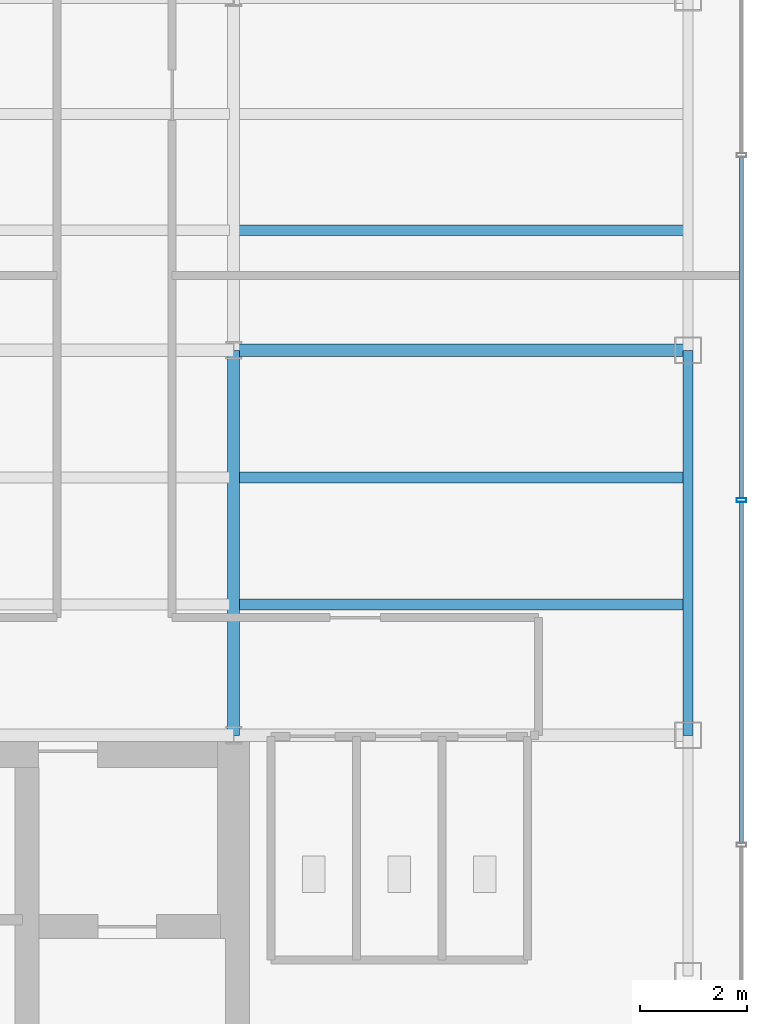
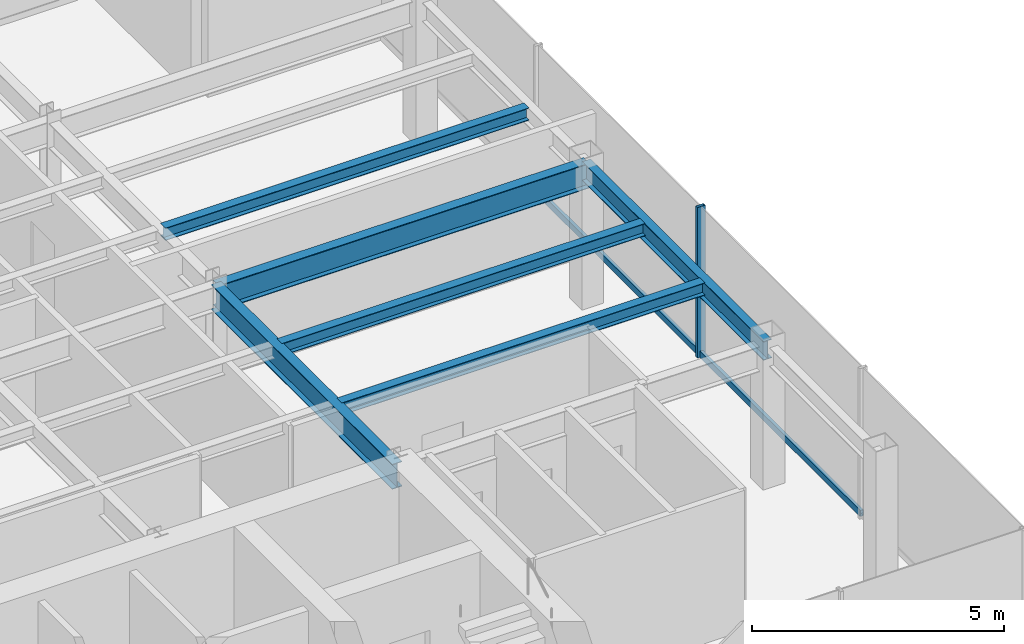
# One storey, part 10 of 22: 6 beams, 3 members, 1 element without a shape of its own.
"""IFC4 building model written with IfcOpenShell, lengths in metres."""

from ifc_helpers import new_model, si_unit, derived_unit, direction, frame, origin, origin_2d, place, context, subcontext, project, spatial, hollow_rectangle, i_section, extrude, source, transform, mapped, material, material_profile, profile_set, type_object, element, aggregate, save


model = new_model("IFC4")

# Units and contexts
model_context = context("Model", 3, precision=1e-05, world=origin(), true_north=direction((0.0, 1.0)))
body_context = subcontext(model_context, "Body", "Model", "MODEL_VIEW")
ifc_project = project(units=[si_unit("LENGTHUNIT", "METRE"), si_unit("AREAUNIT", "SQUARE_METRE"), si_unit("VOLUMEUNIT", "CUBIC_METRE"), si_unit("PLANEANGLEUNIT", "RADIAN"), si_unit("MASSUNIT", "GRAM", prefix="KILO"), derived_unit("THERMALTRANSMITTANCEUNIT", [(si_unit("POWERUNIT", "WATT"), 1), (si_unit("LENGTHUNIT", "METRE"), -2), (si_unit("THERMODYNAMICTEMPERATUREUNIT", "KELVIN"), -1)])], contexts=[model_context])

# Site, building, storey
site_placement = place(None, origin())
site = spatial("IfcSite", under=ifc_project, at=site_placement, CompositionType="ELEMENT")
building_placement = place(site_placement, origin())
building = spatial("IfcBuilding", under=site, at=building_placement, Name="Skarnbrae Concourse Arena and Tower", CompositionType="ELEMENT")
storey_placement = place(building_placement, frame((0.0, 0.0, 269.75)))
storey = spatial("IfcBuildingStorey", under=building, at=storey_placement, Name="L70", CompositionType="ELEMENT", Elevation=269.75)

# Beams
ifc_material_1 = material(Name="Steel CSA G40.21 350W", Category="steel")
ifc_material_profile_1 = material_profile(ifc_material_1, i_section(OverallWidth=0.22802734375, OverallDepth=0.60791015625, WebThickness=0.01123046875, FlangeThickness=0.017333984375, at=origin_2d()), Name="W610X113")
ifc_profile_set_1 = profile_set([ifc_material_profile_1], Name="Steel CSA G40.21 350W")
beam_type_1 = type_object("IfcBeamType", Name="BM-GIRD-W610X113", PredefinedType="BEAM", material=ifc_profile_set_1)
shared_shape_1 = source(origin(), body_context, "Body", "SweptSolid", [
    extrude(i_section(OverallWidth=0.22802734375, OverallDepth=0.60791015625, WebThickness=0.01123046875, FlangeThickness=0.017333984375, at=origin_2d()), origin(), (0.0, 0.0, 1.0), 8.5),
])
beam_1_placement = place(storey_placement, frame((33.5, 21.199951171875, 3.095947265625), z_axis=(1.0, 0.0, 0.0), x_axis=(0.0, 1.0, 0.0)))
element("IfcBeam", 1, at=beam_1_placement, inside=storey, type_object=beam_type_1, Name="L70 Primary E-W girder Y21.2-6", PredefinedType="BEAM", context=body_context, shape_type="MappedRepresentation", body=[
    mapped(shared_shape_1, transform((0.0, 0.0, 0.0))),
])
ifc_material_profile_2 = material_profile(ifc_material_1, i_section(OverallWidth=0.19091796875, OverallDepth=0.4599609375, WebThickness=0.010009765625, FlangeThickness=0.01611328125, at=origin_2d()), Name="W460X82")
ifc_profile_set_2 = profile_set([ifc_material_profile_2], Name="Steel CSA G40.21 350W")
beam_type_2 = type_object("IfcBeamType", Name="BM-SPAN-W460X82", PredefinedType="SPANDREL", material=ifc_profile_set_2)
shared_shape_2 = source(origin(), body_context, "Body", "SweptSolid", [
    extrude(i_section(OverallWidth=0.19091796875, OverallDepth=0.4599609375, WebThickness=0.010009765625, FlangeThickness=0.01611328125, at=origin_2d()), origin(), (0.0, 0.0, 1.0), 7.199951171875),
])
beam_2_placement = place(storey_placement, frame((42.0, 14.0, 3.169921875), z_axis=(0.0, 1.0, 0.0), x_axis=(-1.0, 0.0, 0.0)))
element("IfcBeam", 2, at=beam_2_placement, inside=storey, type_object=beam_type_2, Name="L70 Perimeter spandrel X42.0-2", PredefinedType="SPANDREL", context=body_context, shape_type="MappedRepresentation", body=[
    mapped(shared_shape_2, transform((0.0, 0.0, 0.0))),
])
shared_shape_3 = source(origin(), body_context, "Body", "SweptSolid", [
    extrude(i_section(OverallWidth=0.22802734375, OverallDepth=0.60791015625, WebThickness=0.01123046875, FlangeThickness=0.017333984375, at=origin_2d()), origin(), (0.0, 0.0, 1.0), 7.199951171875),
])
beam_3_placement = place(storey_placement, frame((33.5, 14.0, 3.095947265625), z_axis=(0.0, 1.0, 0.0), x_axis=(-1.0, 0.0, 0.0)))
element("IfcBeam", 3, at=beam_3_placement, inside=storey, type_object=beam_type_1, Name="L70 Primary N-S girder X33.5-1", PredefinedType="BEAM", context=body_context, shape_type="MappedRepresentation", body=[
    mapped(shared_shape_3, transform((0.0, 0.0, 0.0))),
])
ifc_material_profile_3 = material_profile(ifc_material_1, i_section(OverallWidth=0.202880859375, OverallDepth=0.302978515625, WebThickness=0.007568359375, FlangeThickness=0.01318359375, at=origin_2d()), Name="W310X60")
ifc_profile_set_3 = profile_set([ifc_material_profile_3], Name="Steel CSA G40.21 350W")
beam_type_3 = type_object("IfcBeamType", Name="BM-JOIST-W310X60", PredefinedType="JOIST", material=ifc_profile_set_3)
shared_shape_4 = source(origin(), body_context, "Body", "SweptSolid", [
    extrude(i_section(OverallWidth=0.202880859375, OverallDepth=0.302978515625, WebThickness=0.007568359375, FlangeThickness=0.01318359375, at=origin_2d()), origin(), (0.0, 0.0, 1.0), 8.33984375),
])
for number, where, z_axis, x_axis, name in (
    (4, (33.580078125, 16.447998046875, 3.24853515625), (1.0, 0.0, 0.0), (0.0, 1.0, 0.0), "L70 Secondary floor joist 1.1.6"),
    (5, (33.580078125, 18.823974609375, 3.24853515625), (1.0, 0.0, 0.0), (0.0, 1.0, 0.0), "L70 Secondary floor joist 1.2.6"),
    (6, (33.580078125, 23.444091796875, 3.24853515625), (1.0, 0.0, 0.0), (0.0, 1.0, 0.0), "L70 Secondary floor joist 2.1.6"),
):
    element("IfcBeam", number, at=place(storey_placement, frame(where, z_axis=z_axis, x_axis=x_axis)), inside=storey, type_object=beam_type_3, Name=name, PredefinedType="JOIST", context=body_context, shape_type="MappedRepresentation", body=[
        mapped(shared_shape_4, transform((0.0, 0.0, 0.0))),
    ])

# Curtain wall, members
ifc_material_2 = material(Name="Bronze anodised aluminium 6063-T6", Category="aluminium")
curtain_wall_type = type_object("IfcCurtainWallType", Name="CW-SYS-05-HIGHZONE", PredefinedType="USERDEFINED", material=ifc_material_2)
curtain_wall_placement = place(storey_placement, origin())
curtain_wall = element("IfcCurtainWall", 7, at=curtain_wall_placement, inside=storey, type_object=curtain_wall_type, Name="L70 Unitised curtain wall CW-L70-E04", ObjectType="UNITISED CURTAIN WALL", PredefinedType="USERDEFINED")
ifc_material_profile_4 = material_profile(ifc_material_2, hollow_rectangle(XDim=0.074951171875, YDim=0.179931640625, WallThickness=0.00390625, at=origin_2d()), Name="ALU-MULL-75X180")
ifc_profile_set_4 = profile_set([ifc_material_profile_4], Name="Bronze anodised aluminium 6063-T6")
member_type_1 = type_object("IfcMemberType", Name="CWM-CW-05", PredefinedType="MULLION", material=ifc_profile_set_4)
shared_shape_5 = source(origin(), body_context, "Body", "SweptSolid", [
    extrude(hollow_rectangle(XDim=0.074951171875, YDim=0.179931640625, WallThickness=0.00390625, at=origin_2d()), origin(), (0.0, 0.0, 1.0), 3.64990234375),
])
member_1_placement = place(storey_placement, frame((43.0, 18.39990234375, 0.0), z_axis=(0.0, 0.0, 1.0), x_axis=(0.0, 1.0, 0.0)))
member_1 = element("IfcMember", 8, at=member_1_placement, type_object=member_type_1, Name="CW-L70-E04 Mullion 3", PredefinedType="MULLION", context=body_context, shape_type="MappedRepresentation", body=[
    mapped(shared_shape_5, transform((0.0, 0.0, 0.0))),
])
ifc_material_profile_5 = material_profile(ifc_material_2, hollow_rectangle(XDim=0.074951171875, YDim=0.14990234375, WallThickness=0.00390625, at=origin_2d()), Name="ALU-TRAN-75X150")
ifc_profile_set_5 = profile_set([ifc_material_profile_5], Name="Bronze anodised aluminium 6063-T6")
member_type_2 = type_object("IfcMemberType", Name="CWT-CW-05", PredefinedType="USERDEFINED", material=ifc_profile_set_5)
shared_shape_6 = source(origin(), body_context, "Body", "SweptSolid", [
    extrude(hollow_rectangle(XDim=0.074951171875, YDim=0.14990234375, WallThickness=0.00390625, at=origin_2d()), origin(), (0.0, 0.0, 1.0), 6.375),
])
member_2_placement = place(storey_placement, frame((43.0, 11.987548828125, 0.074951171875), z_axis=(0.0, 1.0, 0.0), x_axis=(-1.0, 0.0, 0.0)))
member_2 = element("IfcMember", 9, at=member_2_placement, type_object=member_type_2, Name="CW-L70-E04 Transom 2", ObjectType="TRANSOM", PredefinedType="USERDEFINED", context=body_context, shape_type="MappedRepresentation", body=[
    mapped(shared_shape_6, transform((0.0, 0.0, 0.0))),
])
member_3_placement = place(storey_placement, frame((43.0, 18.4375, 0.074951171875), z_axis=(0.0, 1.0, 0.0), x_axis=(-1.0, 0.0, 0.0)))
member_3 = element("IfcMember", 10, at=member_3_placement, type_object=member_type_2, Name="CW-L70-E04 Transom 3", ObjectType="TRANSOM", PredefinedType="USERDEFINED", context=body_context, shape_type="MappedRepresentation", body=[
    mapped(shared_shape_6, transform((0.0, 0.0, 0.0))),
])
aggregate(curtain_wall, [member_1, member_2, member_3])

save(model, "model.ifc")
